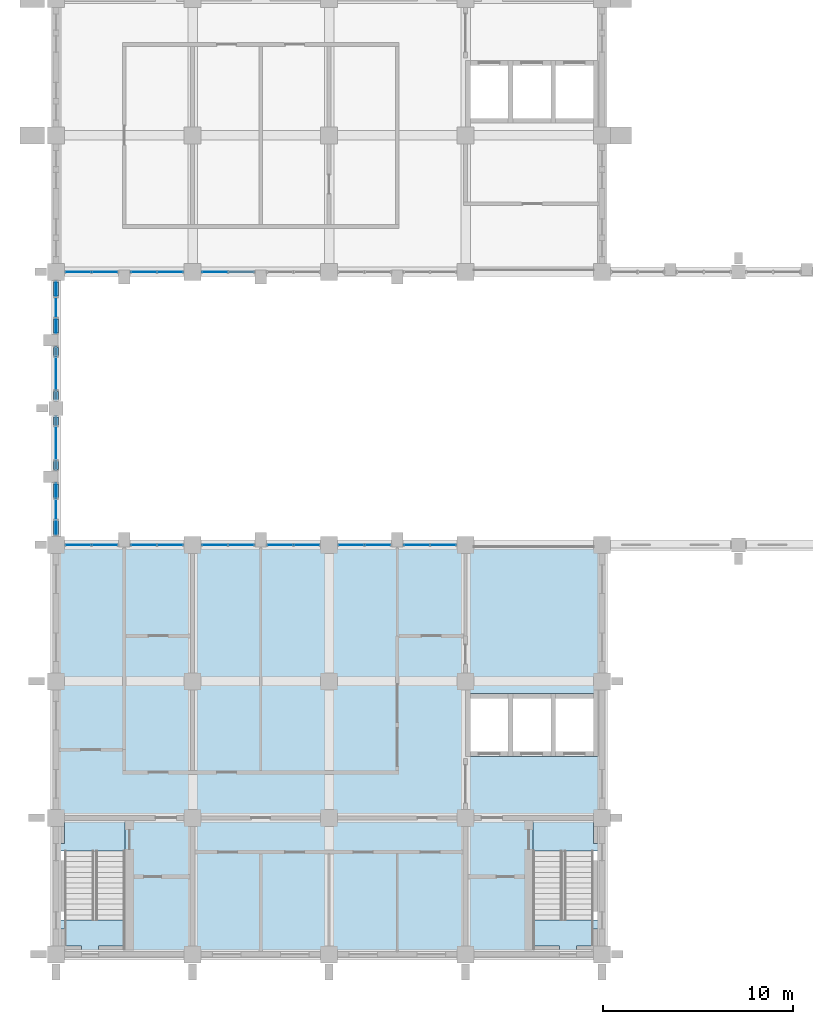
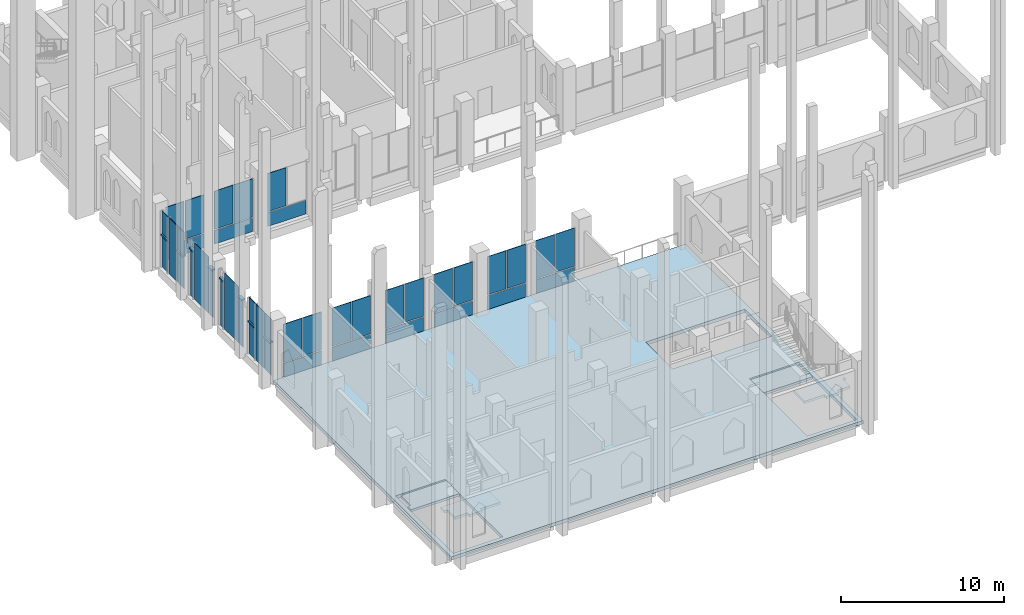
# One storey, part 24 of 40: 42 plates, 8 members, 5 slabs, 15 elements without a shape of their own.
"""IFC4 building model written with IfcOpenShell, lengths in metres."""

from ifc_helpers import new_model, si_unit, direction, frame, origin, origin_2d, place, context, subcontext, project, spatial, polyline, rectangle, hollow_rectangle, outline, extrude, material, layer, layer_set, material_profile, profile_set, type_object, element, aggregate, save


model = new_model("IFC4")

# Units and contexts
model_context = context("Model", 3, precision=1e-05, world=origin(), true_north=direction((0.0, 1.0)))
body_context = subcontext(model_context, "Body", "Model", "MODEL_VIEW")
ifc_project = project(units=[si_unit("LENGTHUNIT", "METRE"), si_unit("AREAUNIT", "SQUARE_METRE"), si_unit("VOLUMEUNIT", "CUBIC_METRE"), si_unit("PLANEANGLEUNIT", "RADIAN"), si_unit("MASSUNIT", "GRAM", prefix="KILO")], contexts=[model_context])

# Site, building, storey
site_placement = place(None, origin())
site = spatial("IfcSite", under=ifc_project, at=site_placement, CompositionType="ELEMENT")
building_placement = place(site_placement, origin())
building = spatial("IfcBuilding", under=site, at=building_placement, Name="Silangan Lancet Faculty of Sciences", CompositionType="ELEMENT")
storey_placement = place(building_placement, frame((0.0, 0.0, 21.60009765625)))
storey = spatial("IfcBuildingStorey", under=building, at=storey_placement, Name="L04", CompositionType="ELEMENT", Elevation=21.60009765625)

# Curtain wall, members
ifc_material_1 = material(Name="Aluminium framed curtain wall with insulated glass", Category="aluminium")
curtain_wall_type_1 = type_object("IfcCurtainWallType", Name="CW3 West stepped lancet window", PredefinedType="NOTDEFINED", material=ifc_material_1)
curtain_wall_1_placement = place(storey_placement, origin())
curtain_wall_1 = element("IfcCurtainWall", 1, at=curtain_wall_1_placement, inside=storey, type_object=curtain_wall_type_1, Name="CW3 West window L04 bay 1", PredefinedType="NOTDEFINED")
ifc_material_2 = material(Name="Aluminium 6063-T6 extrusion", Category="aluminium")
ifc_material_profile = material_profile(ifc_material_2, hollow_rectangle(XDim=0.25, YDim=0.10009765625, WallThickness=0.0048828125, at=origin_2d()), Name="AL BOX 250x100x5")
ifc_profile_set = profile_set([ifc_material_profile], Name="Aluminium 6063-T6 extrusion")
member_type = type_object("IfcMemberType", Name="CT3 Transom 250x100", PredefinedType="USERDEFINED", material=ifc_profile_set)
member_1_placement = place(storey_placement, frame((0.0, 22.125, 2.449951171875), z_axis=(0.0, 1.0, 0.0), x_axis=(-1.0, 0.0, 0.0)))
member_1 = element("IfcMember", 2, at=member_1_placement, type_object=member_type, Name="CW3 West window L04 bay 1 transom 1", ObjectType="TRANSOM", PredefinedType="USERDEFINED", context=body_context, shape_type="SweptSolid", body=[
    extrude(hollow_rectangle(XDim=0.25, YDim=0.10009765625, WallThickness=0.0048828125, at=origin_2d()), origin(), (0.0, 0.0, 1.0), 0.75),
])
member_2_placement = place(storey_placement, frame((0.0, 24.074951171875, 2.449951171875), z_axis=(0.0, 1.0, 0.0), x_axis=(-1.0, 0.0, 0.0)))
member_2 = element("IfcMember", 3, at=member_2_placement, type_object=member_type, Name="CW3 West window L04 bay 1 transom 2", ObjectType="TRANSOM", PredefinedType="USERDEFINED", context=body_context, shape_type="SweptSolid", body=[
    extrude(hollow_rectangle(XDim=0.25, YDim=0.10009765625, WallThickness=0.0048828125, at=origin_2d()), origin(), (0.0, 0.0, 1.0), 0.75),
])

ifc_material_3 = material(Name="Aluminium framed curtain wall with insulated glass", Category="aluminium")
curtain_wall_type_2 = type_object("IfcCurtainWallType", Name="CW6 West window middle bays", PredefinedType="NOTDEFINED", material=ifc_material_3)
curtain_wall_2_placement = place(storey_placement, origin())
curtain_wall_2 = element("IfcCurtainWall", 4, at=curtain_wall_2_placement, inside=storey, type_object=curtain_wall_type_2, Name="CW6 West window L04 bay 2", PredefinedType="NOTDEFINED")
member_3_placement = place(storey_placement, frame((0.0, 25.574951171875, 3.5498046875), z_axis=(0.0, 1.0, 0.0), x_axis=(-1.0, 0.0, 0.0)))
member_3 = element("IfcMember", 5, at=member_3_placement, type_object=member_type, Name="CW6 West window L04 bay 2 transom 1", ObjectType="TRANSOM", PredefinedType="USERDEFINED", context=body_context, shape_type="SweptSolid", body=[
    extrude(hollow_rectangle(XDim=0.25, YDim=0.10009765625, WallThickness=0.0048828125, at=origin_2d()), origin(), (0.0, 0.0, 1.0), 0.449951171875),
])
member_4_placement = place(storey_placement, frame((0.0, 27.89990234375, 3.5498046875), z_axis=(0.0, 1.0, 0.0), x_axis=(-1.0, 0.0, 0.0)))
member_4 = element("IfcMember", 6, at=member_4_placement, type_object=member_type, Name="CW6 West window L04 bay 2 transom 2", ObjectType="TRANSOM", PredefinedType="USERDEFINED", context=body_context, shape_type="SweptSolid", body=[
    extrude(hollow_rectangle(XDim=0.25, YDim=0.10009765625, WallThickness=0.0048828125, at=origin_2d()), origin(), (0.0, 0.0, 1.0), 0.4501953125),
])

curtain_wall_3_placement = place(storey_placement, origin())
curtain_wall_3 = element("IfcCurtainWall", 7, at=curtain_wall_3_placement, inside=storey, type_object=curtain_wall_type_2, Name="CW6 West window L04 bay 3", PredefinedType="NOTDEFINED")
member_5_placement = place(storey_placement, frame((0.0, 29.25, 3.5498046875), z_axis=(0.0, 1.0, 0.0), x_axis=(-1.0, 0.0, 0.0)))
member_5 = element("IfcMember", 8, at=member_5_placement, type_object=member_type, Name="CW6 West window L04 bay 3 transom 1", ObjectType="TRANSOM", PredefinedType="USERDEFINED", context=body_context, shape_type="SweptSolid", body=[
    extrude(hollow_rectangle(XDim=0.25, YDim=0.10009765625, WallThickness=0.0048828125, at=origin_2d()), origin(), (0.0, 0.0, 1.0), 0.449951171875),
])
member_6_placement = place(storey_placement, frame((0.0, 31.574951171875, 3.5498046875), z_axis=(0.0, 1.0, 0.0), x_axis=(-1.0, 0.0, 0.0)))
member_6 = element("IfcMember", 9, at=member_6_placement, type_object=member_type, Name="CW6 West window L04 bay 3 transom 2", ObjectType="TRANSOM", PredefinedType="USERDEFINED", context=body_context, shape_type="SweptSolid", body=[
    extrude(hollow_rectangle(XDim=0.25, YDim=0.10009765625, WallThickness=0.0048828125, at=origin_2d()), origin(), (0.0, 0.0, 1.0), 0.449951171875),
])

curtain_wall_4_placement = place(storey_placement, origin())
curtain_wall_4 = element("IfcCurtainWall", 10, at=curtain_wall_4_placement, inside=storey, type_object=curtain_wall_type_1, Name="CW3 West window L04 bay 4", PredefinedType="NOTDEFINED")
member_7_placement = place(storey_placement, frame((0.0, 32.77490234375, 2.449951171875), z_axis=(0.0, 1.0, 0.0), x_axis=(-1.0, 0.0, 0.0)))
member_7 = element("IfcMember", 11, at=member_7_placement, type_object=member_type, Name="CW3 West window L04 bay 4 transom 1", ObjectType="TRANSOM", PredefinedType="USERDEFINED", context=body_context, shape_type="SweptSolid", body=[
    extrude(hollow_rectangle(XDim=0.25, YDim=0.10009765625, WallThickness=0.0048828125, at=origin_2d()), origin(), (0.0, 0.0, 1.0), 0.75),
])
member_8_placement = place(storey_placement, frame((0.0, 34.72509765625, 2.449951171875), z_axis=(0.0, 1.0, 0.0), x_axis=(-1.0, 0.0, 0.0)))
member_8 = element("IfcMember", 12, at=member_8_placement, type_object=member_type, Name="CW3 West window L04 bay 4 transom 2", ObjectType="TRANSOM", PredefinedType="USERDEFINED", context=body_context, shape_type="SweptSolid", body=[
    extrude(hollow_rectangle(XDim=0.25, YDim=0.10009765625, WallThickness=0.0048828125, at=origin_2d()), origin(), (0.0, 0.0, 1.0), 0.75),
])

# Plate
ifc_material_4 = material(Name="Insulated glass unit 8+16+8 low-emissivity", Category="glass")
ifc_layer_1 = layer(ifc_material_4, 0.031982421875)
ifc_layer_set_1 = layer_set([ifc_layer_1], Name="Insulated glass unit 8+16+8 low-emissivity")
plate_type_1 = type_object("IfcPlateType", Name="CP1 Panel vision glass 32", PredefinedType="CURTAIN_PANEL", material=ifc_layer_set_1)
plate_1_placement = place(storey_placement, frame((0.0, 22.5, 2.5), z_axis=(0.0, 0.0, 1.0), x_axis=(0.0, 1.0, 0.0)))
plate_1 = element("IfcPlate", 13, at=plate_1_placement, type_object=plate_type_1, Name="CW3 West window L04 bay 1 panel 3", PredefinedType="CURTAIN_PANEL", context=body_context, shape_type="SweptSolid", body=[
    extrude(rectangle(XDim=0.75, YDim=0.031982421875, at=origin_2d()), origin(), (0.0, 0.0, 1.0), 1.699951171875),
])

plate_2_placement = place(storey_placement, frame((0.0, 24.449951171875, 2.5), z_axis=(0.0, 0.0, 1.0), x_axis=(0.0, 1.0, 0.0)))
plate_2 = element("IfcPlate", 14, at=plate_2_placement, type_object=plate_type_1, Name="CW3 West window L04 bay 1 panel 4", PredefinedType="CURTAIN_PANEL", context=body_context, shape_type="SweptSolid", body=[
    extrude(rectangle(XDim=0.75, YDim=0.031982421875, at=origin_2d()), origin(), (0.0, 0.0, 1.0), 1.699951171875),
])

plate_3_placement = place(storey_placement, frame((0.0, 33.14990234375, 2.5), z_axis=(0.0, 0.0, 1.0), x_axis=(0.0, 1.0, 0.0)))
plate_3 = element("IfcPlate", 15, at=plate_3_placement, type_object=plate_type_1, Name="CW3 West window L04 bay 4 panel 3", PredefinedType="CURTAIN_PANEL", context=body_context, shape_type="SweptSolid", body=[
    extrude(rectangle(XDim=0.75, YDim=0.031982421875, at=origin_2d()), origin(), (0.0, 0.0, 1.0), 1.699951171875),
])

plate_4_placement = place(storey_placement, frame((0.0, 35.10009765625, 2.5), z_axis=(0.0, 0.0, 1.0), x_axis=(0.0, 1.0, 0.0)))
plate_4 = element("IfcPlate", 16, at=plate_4_placement, type_object=plate_type_1, Name="CW3 West window L04 bay 4 panel 4", PredefinedType="CURTAIN_PANEL", context=body_context, shape_type="SweptSolid", body=[
    extrude(rectangle(XDim=0.75, YDim=0.031982421875, at=origin_2d()), origin(), (0.0, 0.0, 1.0), 1.699951171875),
])

ifc_material_5 = material(Name="Laminated insulated glass unit 10.76+14+8", Category="glass")
ifc_layer_2 = layer(ifc_material_5, 0.035888671875)
ifc_layer_set_2 = layer_set([ifc_layer_2], Name="Laminated insulated glass unit 10.76+14+8")
plate_type_2 = type_object("IfcPlateType", Name="CP2 Panel laminated glass 36", PredefinedType="CURTAIN_PANEL", material=ifc_layer_set_2)
plate_5_placement = place(storey_placement, frame((0.0, 22.5, 0.0), z_axis=(0.0, 0.0, 1.0), x_axis=(0.0, 1.0, 0.0)))
plate_5 = element("IfcPlate", 17, at=plate_5_placement, type_object=plate_type_2, Name="CW3 West window L04 bay 1 panel 1", PredefinedType="CURTAIN_PANEL", context=body_context, shape_type="SweptSolid", body=[
    extrude(rectangle(XDim=0.75, YDim=0.035888671875, at=origin_2d()), origin(), (0.0, 0.0, 1.0), 2.39990234375),
])

plate_6_placement = place(storey_placement, frame((0.0, 24.449951171875, 0.0), z_axis=(0.0, 0.0, 1.0), x_axis=(0.0, 1.0, 0.0)))
plate_6 = element("IfcPlate", 18, at=plate_6_placement, type_object=plate_type_2, Name="CW3 West window L04 bay 1 panel 2", PredefinedType="CURTAIN_PANEL", context=body_context, shape_type="SweptSolid", body=[
    extrude(rectangle(XDim=0.75, YDim=0.035888671875, at=origin_2d()), origin(), (0.0, 0.0, 1.0), 2.39990234375),
])

plate_7_placement = place(storey_placement, frame((0.0, 23.47509765625, 0.0), z_axis=(0.0, 0.0, 1.0), x_axis=(0.0, 1.0, 0.0)))
plate_7 = element("IfcPlate", 19, at=plate_7_placement, type_object=plate_type_2, Name="CW3 West window L04 bay 1 panel 5", PredefinedType="CURTAIN_PANEL", context=body_context, shape_type="SweptSolid", body=[
    extrude(rectangle(XDim=1.050048828125, YDim=0.035888671875, at=origin_2d()), origin(), (0.0, 0.0, 1.0), 4.199951171875),
])

aggregate(curtain_wall_1, [member_1, member_2, plate_5, plate_6, plate_1, plate_2, plate_7])

plate_8_placement = place(storey_placement, frame((0.0, 25.800048828125, 0.0), z_axis=(0.0, 0.0, 1.0), x_axis=(0.0, 1.0, 0.0)))
plate_8 = element("IfcPlate", 20, at=plate_8_placement, type_object=plate_type_2, Name="CW6 West window L04 bay 2 panel 1", PredefinedType="CURTAIN_PANEL", context=body_context, shape_type="SweptSolid", body=[
    extrude(rectangle(XDim=0.449951171875, YDim=0.035888671875, at=origin_2d()), origin(), (0.0, 0.0, 1.0), 3.5),
])

plate_9_placement = place(storey_placement, frame((0.0, 28.125, 0.0), z_axis=(0.0, 0.0, 1.0), x_axis=(0.0, 1.0, 0.0)))
plate_9 = element("IfcPlate", 21, at=plate_9_placement, type_object=plate_type_2, Name="CW6 West window L04 bay 2 panel 2", PredefinedType="CURTAIN_PANEL", context=body_context, shape_type="SweptSolid", body=[
    extrude(rectangle(XDim=0.449951171875, YDim=0.035888671875, at=origin_2d()), origin(), (0.0, 0.0, 1.0), 3.5),
])

plate_10_placement = place(storey_placement, frame((0.0, 26.96240234375, 0.0), z_axis=(0.0, 0.0, 1.0), x_axis=(0.0, 1.0, 0.0)))
plate_10 = element("IfcPlate", 22, at=plate_10_placement, type_object=plate_type_2, Name="CW6 West window L04 bay 2 panel 5", PredefinedType="CURTAIN_PANEL", context=body_context, shape_type="SweptSolid", body=[
    extrude(rectangle(XDim=1.72509765625, YDim=0.035888671875, at=origin_2d()), origin(), (0.0, 0.0, 1.0), 4.199951171875),
])

aggregate(curtain_wall_2, [member_3, member_4, plate_8, plate_9, plate_10])

plate_11_placement = place(storey_placement, frame((0.0, 29.47509765625, 0.0), z_axis=(0.0, 0.0, 1.0), x_axis=(0.0, 1.0, 0.0)))
plate_11 = element("IfcPlate", 23, at=plate_11_placement, type_object=plate_type_2, Name="CW6 West window L04 bay 3 panel 1", PredefinedType="CURTAIN_PANEL", context=body_context, shape_type="SweptSolid", body=[
    extrude(rectangle(XDim=0.449951171875, YDim=0.035888671875, at=origin_2d()), origin(), (0.0, 0.0, 1.0), 3.5),
])

plate_12_placement = place(storey_placement, frame((0.0, 31.7998046875, 0.0), z_axis=(0.0, 0.0, 1.0), x_axis=(0.0, 1.0, 0.0)))
plate_12 = element("IfcPlate", 24, at=plate_12_placement, type_object=plate_type_2, Name="CW6 West window L04 bay 3 panel 2", PredefinedType="CURTAIN_PANEL", context=body_context, shape_type="SweptSolid", body=[
    extrude(rectangle(XDim=0.449951171875, YDim=0.035888671875, at=origin_2d()), origin(), (0.0, 0.0, 1.0), 3.5),
])

plate_13_placement = place(storey_placement, frame((0.0, 30.637451171875, 0.0), z_axis=(0.0, 0.0, 1.0), x_axis=(0.0, 1.0, 0.0)))
plate_13 = element("IfcPlate", 25, at=plate_13_placement, type_object=plate_type_2, Name="CW6 West window L04 bay 3 panel 5", PredefinedType="CURTAIN_PANEL", context=body_context, shape_type="SweptSolid", body=[
    extrude(rectangle(XDim=1.724853515625, YDim=0.035888671875, at=origin_2d()), origin(), (0.0, 0.0, 1.0), 4.199951171875),
])

aggregate(curtain_wall_3, [member_5, member_6, plate_11, plate_12, plate_13])

plate_14_placement = place(storey_placement, frame((0.0, 33.14990234375, 0.0), z_axis=(0.0, 0.0, 1.0), x_axis=(0.0, 1.0, 0.0)))
plate_14 = element("IfcPlate", 26, at=plate_14_placement, type_object=plate_type_2, Name="CW3 West window L04 bay 4 panel 1", PredefinedType="CURTAIN_PANEL", context=body_context, shape_type="SweptSolid", body=[
    extrude(rectangle(XDim=0.75, YDim=0.035888671875, at=origin_2d()), origin(), (0.0, 0.0, 1.0), 2.39990234375),
])

plate_15_placement = place(storey_placement, frame((0.0, 35.10009765625, 0.0), z_axis=(0.0, 0.0, 1.0), x_axis=(0.0, 1.0, 0.0)))
plate_15 = element("IfcPlate", 27, at=plate_15_placement, type_object=plate_type_2, Name="CW3 West window L04 bay 4 panel 2", PredefinedType="CURTAIN_PANEL", context=body_context, shape_type="SweptSolid", body=[
    extrude(rectangle(XDim=0.75, YDim=0.035888671875, at=origin_2d()), origin(), (0.0, 0.0, 1.0), 2.39990234375),
])

plate_16_placement = place(storey_placement, frame((0.0, 34.125, 0.0), z_axis=(0.0, 0.0, 1.0), x_axis=(0.0, 1.0, 0.0)))
plate_16 = element("IfcPlate", 28, at=plate_16_placement, type_object=plate_type_2, Name="CW3 West window L04 bay 4 panel 5", PredefinedType="CURTAIN_PANEL", context=body_context, shape_type="SweptSolid", body=[
    extrude(rectangle(XDim=1.050048828125, YDim=0.035888671875, at=origin_2d()), origin(), (0.0, 0.0, 1.0), 4.199951171875),
])

aggregate(curtain_wall_4, [member_7, member_8, plate_14, plate_15, plate_3, plate_4, plate_16])

# Curtain wall, plates
ifc_material_6 = material(Name="Aluminium framed curtain wall with insulated glass", Category="aluminium")
curtain_wall_type_3 = type_object("IfcCurtainWallType", Name="CW2 Atrium fire-resisting screen", PredefinedType="NOTDEFINED", material=ifc_material_6)
curtain_wall_5_placement = place(storey_placement, origin())
curtain_wall_5 = element("IfcCurtainWall", 29, at=curtain_wall_5_placement, inside=storey, type_object=curtain_wall_type_3, Name="CW2 Atrium south L04 bay 1", PredefinedType="NOTDEFINED")
ifc_material_7 = material(Name="Fire-resisting glass unit 40 mm, integrity E", Category="glass")
ifc_layer_3 = layer(ifc_material_7, 0.0400390625)
ifc_layer_set_3 = layer_set([ifc_layer_3], Name="Fire-resisting glass unit 40 mm, integrity E")
plate_type_3 = type_object("IfcPlateType", Name="CP3 Panel fire-resisting glass 40", PredefinedType="CURTAIN_PANEL", material=ifc_layer_set_3)
plate_17_placement = place(storey_placement, frame((19.72509765625, 21.60009765625, 0.0), z_axis=(0.0, 0.0, 1.0), x_axis=(-1.0, 0.0, 0.0)))
plate_17 = element("IfcPlate", 30, at=plate_17_placement, type_object=plate_type_3, Name="CW2 Atrium south L04 bay 1 panel 1", PredefinedType="CURTAIN_PANEL", context=body_context, shape_type="SweptSolid", body=[
    extrude(rectangle(XDim=2.699951171875, YDim=0.0400390625, at=origin_2d()), origin(), (0.0, 0.0, 1.0), 1.02490234375),
])
plate_18_placement = place(storey_placement, frame((20.418701171875, 21.60009765625, 1.099853515625), z_axis=(0.0, 0.0, 1.0), x_axis=(-1.0, 0.0, 0.0)))
plate_18 = element("IfcPlate", 31, at=plate_18_placement, type_object=plate_type_3, Name="CW2 Atrium south L04 bay 1 panel 2", PredefinedType="CURTAIN_PANEL", context=body_context, shape_type="SweptSolid", body=[
    extrude(rectangle(XDim=1.3125, YDim=0.0400390625, at=origin_2d()), origin(), (0.0, 0.0, 1.0), 2.85009765625),
])
plate_19_placement = place(storey_placement, frame((19.03125, 21.60009765625, 1.099853515625), z_axis=(0.0, 0.0, 1.0), x_axis=(-1.0, 0.0, 0.0)))
plate_19 = element("IfcPlate", 32, at=plate_19_placement, type_object=plate_type_3, Name="CW2 Atrium south L04 bay 1 panel 3", PredefinedType="CURTAIN_PANEL", context=body_context, shape_type="SweptSolid", body=[
    extrude(rectangle(XDim=1.3125, YDim=0.0400390625, at=origin_2d()), origin(), (0.0, 0.0, 1.0), 2.85009765625),
])
aggregate(curtain_wall_5, [plate_17, plate_18, plate_19])

curtain_wall_6_placement = place(storey_placement, origin())
curtain_wall_6 = element("IfcCurtainWall", 33, at=curtain_wall_6_placement, inside=storey, type_object=curtain_wall_type_3, Name="CW2 Atrium south L04 bay 2", PredefinedType="NOTDEFINED")
plate_20_placement = place(storey_placement, frame((16.27490234375, 21.60009765625, 0.0), z_axis=(0.0, 0.0, 1.0), x_axis=(-1.0, 0.0, 0.0)))
plate_20 = element("IfcPlate", 34, at=plate_20_placement, type_object=plate_type_3, Name="CW2 Atrium south L04 bay 2 panel 1", PredefinedType="CURTAIN_PANEL", context=body_context, shape_type="SweptSolid", body=[
    extrude(rectangle(XDim=2.699951171875, YDim=0.0400390625, at=origin_2d()), origin(), (0.0, 0.0, 1.0), 1.02490234375),
])
plate_21_placement = place(storey_placement, frame((16.96875, 21.60009765625, 1.099853515625), z_axis=(0.0, 0.0, 1.0), x_axis=(-1.0, 0.0, 0.0)))
plate_21 = element("IfcPlate", 35, at=plate_21_placement, type_object=plate_type_3, Name="CW2 Atrium south L04 bay 2 panel 2", PredefinedType="CURTAIN_PANEL", context=body_context, shape_type="SweptSolid", body=[
    extrude(rectangle(XDim=1.3125, YDim=0.0400390625, at=origin_2d()), origin(), (0.0, 0.0, 1.0), 2.85009765625),
])
plate_22_placement = place(storey_placement, frame((15.581298828125, 21.60009765625, 1.099853515625), z_axis=(0.0, 0.0, 1.0), x_axis=(-1.0, 0.0, 0.0)))
plate_22 = element("IfcPlate", 36, at=plate_22_placement, type_object=plate_type_3, Name="CW2 Atrium south L04 bay 2 panel 3", PredefinedType="CURTAIN_PANEL", context=body_context, shape_type="SweptSolid", body=[
    extrude(rectangle(XDim=1.3125, YDim=0.0400390625, at=origin_2d()), origin(), (0.0, 0.0, 1.0), 2.85009765625),
])
aggregate(curtain_wall_6, [plate_20, plate_21, plate_22])

curtain_wall_7_placement = place(storey_placement, origin())
curtain_wall_7 = element("IfcCurtainWall", 37, at=curtain_wall_7_placement, inside=storey, type_object=curtain_wall_type_3, Name="CW2 Atrium south L04 bay 3", PredefinedType="NOTDEFINED")
plate_23_placement = place(storey_placement, frame((12.52490234375, 21.60009765625, 0.0), z_axis=(0.0, 0.0, 1.0), x_axis=(-1.0, 0.0, 0.0)))
plate_23 = element("IfcPlate", 38, at=plate_23_placement, type_object=plate_type_3, Name="CW2 Atrium south L04 bay 3 panel 1", PredefinedType="CURTAIN_PANEL", context=body_context, shape_type="SweptSolid", body=[
    extrude(rectangle(XDim=2.699951171875, YDim=0.0400390625, at=origin_2d()), origin(), (0.0, 0.0, 1.0), 1.02490234375),
])
plate_24_placement = place(storey_placement, frame((13.21875, 21.60009765625, 1.099853515625), z_axis=(0.0, 0.0, 1.0), x_axis=(-1.0, 0.0, 0.0)))
plate_24 = element("IfcPlate", 39, at=plate_24_placement, type_object=plate_type_3, Name="CW2 Atrium south L04 bay 3 panel 2", PredefinedType="CURTAIN_PANEL", context=body_context, shape_type="SweptSolid", body=[
    extrude(rectangle(XDim=1.3125, YDim=0.0400390625, at=origin_2d()), origin(), (0.0, 0.0, 1.0), 2.85009765625),
])
plate_25_placement = place(storey_placement, frame((11.831298828125, 21.60009765625, 1.099853515625), z_axis=(0.0, 0.0, 1.0), x_axis=(-1.0, 0.0, 0.0)))
plate_25 = element("IfcPlate", 40, at=plate_25_placement, type_object=plate_type_3, Name="CW2 Atrium south L04 bay 3 panel 3", PredefinedType="CURTAIN_PANEL", context=body_context, shape_type="SweptSolid", body=[
    extrude(rectangle(XDim=1.3125, YDim=0.0400390625, at=origin_2d()), origin(), (0.0, 0.0, 1.0), 2.85009765625),
])
aggregate(curtain_wall_7, [plate_23, plate_24, plate_25])

curtain_wall_8_placement = place(storey_placement, origin())
curtain_wall_8 = element("IfcCurtainWall", 41, at=curtain_wall_8_placement, inside=storey, type_object=curtain_wall_type_3, Name="CW2 Atrium south L04 bay 4", PredefinedType="NOTDEFINED")
plate_26_placement = place(storey_placement, frame((9.074951171875, 21.60009765625, 0.0), z_axis=(0.0, 0.0, 1.0), x_axis=(-1.0, 0.0, 0.0)))
plate_26 = element("IfcPlate", 42, at=plate_26_placement, type_object=plate_type_3, Name="CW2 Atrium south L04 bay 4 panel 1", PredefinedType="CURTAIN_PANEL", context=body_context, shape_type="SweptSolid", body=[
    extrude(rectangle(XDim=2.699951171875, YDim=0.0400390625, at=origin_2d()), origin(), (0.0, 0.0, 1.0), 1.02490234375),
])
plate_27_placement = place(storey_placement, frame((9.768798828125, 21.60009765625, 1.099853515625), z_axis=(0.0, 0.0, 1.0), x_axis=(-1.0, 0.0, 0.0)))
plate_27 = element("IfcPlate", 43, at=plate_27_placement, type_object=plate_type_3, Name="CW2 Atrium south L04 bay 4 panel 2", PredefinedType="CURTAIN_PANEL", context=body_context, shape_type="SweptSolid", body=[
    extrude(rectangle(XDim=1.3125, YDim=0.0400390625, at=origin_2d()), origin(), (0.0, 0.0, 1.0), 2.85009765625),
])
plate_28_placement = place(storey_placement, frame((8.38134765625, 21.60009765625, 1.099853515625), z_axis=(0.0, 0.0, 1.0), x_axis=(-1.0, 0.0, 0.0)))
plate_28 = element("IfcPlate", 44, at=plate_28_placement, type_object=plate_type_3, Name="CW2 Atrium south L04 bay 4 panel 3", PredefinedType="CURTAIN_PANEL", context=body_context, shape_type="SweptSolid", body=[
    extrude(rectangle(XDim=1.3125, YDim=0.0400390625, at=origin_2d()), origin(), (0.0, 0.0, 1.0), 2.85009765625),
])
aggregate(curtain_wall_8, [plate_26, plate_27, plate_28])

curtain_wall_9_placement = place(storey_placement, origin())
curtain_wall_9 = element("IfcCurtainWall", 45, at=curtain_wall_9_placement, inside=storey, type_object=curtain_wall_type_3, Name="CW2 Atrium south L04 bay 5", PredefinedType="NOTDEFINED")
plate_29_placement = place(storey_placement, frame((5.324951171875, 21.60009765625, 0.0), z_axis=(0.0, 0.0, 1.0), x_axis=(-1.0, 0.0, 0.0)))
plate_29 = element("IfcPlate", 46, at=plate_29_placement, type_object=plate_type_3, Name="CW2 Atrium south L04 bay 5 panel 1", PredefinedType="CURTAIN_PANEL", context=body_context, shape_type="SweptSolid", body=[
    extrude(rectangle(XDim=2.699951171875, YDim=0.0400390625, at=origin_2d()), origin(), (0.0, 0.0, 1.0), 1.02490234375),
])
plate_30_placement = place(storey_placement, frame((6.018798828125, 21.60009765625, 1.099853515625), z_axis=(0.0, 0.0, 1.0), x_axis=(-1.0, 0.0, 0.0)))
plate_30 = element("IfcPlate", 47, at=plate_30_placement, type_object=plate_type_3, Name="CW2 Atrium south L04 bay 5 panel 2", PredefinedType="CURTAIN_PANEL", context=body_context, shape_type="SweptSolid", body=[
    extrude(rectangle(XDim=1.3125, YDim=0.0400390625, at=origin_2d()), origin(), (0.0, 0.0, 1.0), 2.85009765625),
])
plate_31_placement = place(storey_placement, frame((4.63134765625, 21.60009765625, 1.099853515625), z_axis=(0.0, 0.0, 1.0), x_axis=(-1.0, 0.0, 0.0)))
plate_31 = element("IfcPlate", 48, at=plate_31_placement, type_object=plate_type_3, Name="CW2 Atrium south L04 bay 5 panel 3", PredefinedType="CURTAIN_PANEL", context=body_context, shape_type="SweptSolid", body=[
    extrude(rectangle(XDim=1.3125, YDim=0.0400390625, at=origin_2d()), origin(), (0.0, 0.0, 1.0), 2.85009765625),
])
aggregate(curtain_wall_9, [plate_29, plate_30, plate_31])

curtain_wall_10_placement = place(storey_placement, origin())
curtain_wall_10 = element("IfcCurtainWall", 49, at=curtain_wall_10_placement, inside=storey, type_object=curtain_wall_type_3, Name="CW2 Atrium south L04 bay 6", PredefinedType="NOTDEFINED")
plate_32_placement = place(storey_placement, frame((1.875, 21.60009765625, 0.0), z_axis=(0.0, 0.0, 1.0), x_axis=(-1.0, 0.0, 0.0)))
plate_32 = element("IfcPlate", 50, at=plate_32_placement, type_object=plate_type_3, Name="CW2 Atrium south L04 bay 6 panel 1", PredefinedType="CURTAIN_PANEL", context=body_context, shape_type="SweptSolid", body=[
    extrude(rectangle(XDim=2.7001953125, YDim=0.0400390625, at=origin_2d()), origin(), (0.0, 0.0, 1.0), 1.02490234375),
])
plate_33_placement = place(storey_placement, frame((2.56884765625, 21.60009765625, 1.099853515625), z_axis=(0.0, 0.0, 1.0), x_axis=(-1.0, 0.0, 0.0)))
plate_33 = element("IfcPlate", 51, at=plate_33_placement, type_object=plate_type_3, Name="CW2 Atrium south L04 bay 6 panel 2", PredefinedType="CURTAIN_PANEL", context=body_context, shape_type="SweptSolid", body=[
    extrude(rectangle(XDim=1.3125, YDim=0.0400390625, at=origin_2d()), origin(), (0.0, 0.0, 1.0), 2.85009765625),
])
plate_34_placement = place(storey_placement, frame((1.181396484375, 21.60009765625, 1.099853515625), z_axis=(0.0, 0.0, 1.0), x_axis=(-1.0, 0.0, 0.0)))
plate_34 = element("IfcPlate", 52, at=plate_34_placement, type_object=plate_type_3, Name="CW2 Atrium south L04 bay 6 panel 3", PredefinedType="CURTAIN_PANEL", context=body_context, shape_type="SweptSolid", body=[
    extrude(rectangle(XDim=1.3125, YDim=0.0400390625, at=origin_2d()), origin(), (0.0, 0.0, 1.0), 2.85009765625),
])
aggregate(curtain_wall_10, [plate_32, plate_33, plate_34])

curtain_wall_11_placement = place(storey_placement, origin())
curtain_wall_11 = element("IfcCurtainWall", 53, at=curtain_wall_11_placement, inside=storey, type_object=curtain_wall_type_3, Name="CW2 Atrium north L04 bay 1", PredefinedType="NOTDEFINED")
plate_35_placement = place(storey_placement, frame((1.875, 36.0, 0.0), z_axis=(0.0, 0.0, 1.0), x_axis=(1.0, 0.0, 0.0)))
plate_35 = element("IfcPlate", 54, at=plate_35_placement, type_object=plate_type_3, Name="CW2 Atrium north L04 bay 1 panel 1", PredefinedType="CURTAIN_PANEL", context=body_context, shape_type="SweptSolid", body=[
    extrude(rectangle(XDim=2.7001953125, YDim=0.0400390625, at=origin_2d()), origin(), (0.0, 0.0, 1.0), 1.02490234375),
])
plate_36_placement = place(storey_placement, frame((1.181396484375, 36.0, 1.099853515625), z_axis=(0.0, 0.0, 1.0), x_axis=(1.0, 0.0, 0.0)))
plate_36 = element("IfcPlate", 55, at=plate_36_placement, type_object=plate_type_3, Name="CW2 Atrium north L04 bay 1 panel 2", PredefinedType="CURTAIN_PANEL", context=body_context, shape_type="SweptSolid", body=[
    extrude(rectangle(XDim=1.3125, YDim=0.0400390625, at=origin_2d()), origin(), (0.0, 0.0, 1.0), 2.85009765625),
])
plate_37_placement = place(storey_placement, frame((2.56884765625, 36.0, 1.099853515625), z_axis=(0.0, 0.0, 1.0), x_axis=(1.0, 0.0, 0.0)))
plate_37 = element("IfcPlate", 56, at=plate_37_placement, type_object=plate_type_3, Name="CW2 Atrium north L04 bay 1 panel 3", PredefinedType="CURTAIN_PANEL", context=body_context, shape_type="SweptSolid", body=[
    extrude(rectangle(XDim=1.3125, YDim=0.0400390625, at=origin_2d()), origin(), (0.0, 0.0, 1.0), 2.85009765625),
])
aggregate(curtain_wall_11, [plate_35, plate_36, plate_37])

curtain_wall_12_placement = place(storey_placement, origin())
curtain_wall_12 = element("IfcCurtainWall", 57, at=curtain_wall_12_placement, inside=storey, type_object=curtain_wall_type_3, Name="CW2 Atrium north L04 bay 2", PredefinedType="NOTDEFINED")
plate_38_placement = place(storey_placement, frame((5.324951171875, 36.0, 0.0), z_axis=(0.0, 0.0, 1.0), x_axis=(1.0, 0.0, 0.0)))
plate_38 = element("IfcPlate", 58, at=plate_38_placement, type_object=plate_type_3, Name="CW2 Atrium north L04 bay 2 panel 1", PredefinedType="CURTAIN_PANEL", context=body_context, shape_type="SweptSolid", body=[
    extrude(rectangle(XDim=2.699951171875, YDim=0.0400390625, at=origin_2d()), origin(), (0.0, 0.0, 1.0), 1.02490234375),
])
plate_39_placement = place(storey_placement, frame((4.63134765625, 36.0, 1.099853515625), z_axis=(0.0, 0.0, 1.0), x_axis=(1.0, 0.0, 0.0)))
plate_39 = element("IfcPlate", 59, at=plate_39_placement, type_object=plate_type_3, Name="CW2 Atrium north L04 bay 2 panel 2", PredefinedType="CURTAIN_PANEL", context=body_context, shape_type="SweptSolid", body=[
    extrude(rectangle(XDim=1.3125, YDim=0.0400390625, at=origin_2d()), origin(), (0.0, 0.0, 1.0), 2.85009765625),
])
plate_40_placement = place(storey_placement, frame((6.018798828125, 36.0, 1.099853515625), z_axis=(0.0, 0.0, 1.0), x_axis=(1.0, 0.0, 0.0)))
plate_40 = element("IfcPlate", 60, at=plate_40_placement, type_object=plate_type_3, Name="CW2 Atrium north L04 bay 2 panel 3", PredefinedType="CURTAIN_PANEL", context=body_context, shape_type="SweptSolid", body=[
    extrude(rectangle(XDim=1.3125, YDim=0.0400390625, at=origin_2d()), origin(), (0.0, 0.0, 1.0), 2.85009765625),
])
aggregate(curtain_wall_12, [plate_38, plate_39, plate_40])

curtain_wall_13_placement = place(storey_placement, origin())
curtain_wall_13 = element("IfcCurtainWall", 61, at=curtain_wall_13_placement, inside=storey, type_object=curtain_wall_type_3, Name="CW2 Atrium north L04 bay 3", PredefinedType="NOTDEFINED")
plate_41_placement = place(storey_placement, frame((9.074951171875, 36.0, 0.0), z_axis=(0.0, 0.0, 1.0), x_axis=(1.0, 0.0, 0.0)))
plate_41 = element("IfcPlate", 62, at=plate_41_placement, type_object=plate_type_3, Name="CW2 Atrium north L04 bay 3 panel 1", PredefinedType="CURTAIN_PANEL", context=body_context, shape_type="SweptSolid", body=[
    extrude(rectangle(XDim=2.699951171875, YDim=0.0400390625, at=origin_2d()), origin(), (0.0, 0.0, 1.0), 1.02490234375),
])
plate_42_placement = place(storey_placement, frame((8.38134765625, 36.0, 1.099853515625), z_axis=(0.0, 0.0, 1.0), x_axis=(1.0, 0.0, 0.0)))
plate_42 = element("IfcPlate", 63, at=plate_42_placement, type_object=plate_type_3, Name="CW2 Atrium north L04 bay 3 panel 2", PredefinedType="CURTAIN_PANEL", context=body_context, shape_type="SweptSolid", body=[
    extrude(rectangle(XDim=1.3125, YDim=0.0400390625, at=origin_2d()), origin(), (0.0, 0.0, 1.0), 2.85009765625),
])
aggregate(curtain_wall_13, [plate_41, plate_42])

# Slab
ifc_material_8 = material(Name="Concrete C35/45", Category="concrete")
ifc_layer_4 = layer(ifc_material_8, 0.25)
ifc_layer_set_4 = layer_set([ifc_layer_4], Name="Concrete C35/45")
slab_type_1 = type_object("IfcSlabType", Name="SLAB FLOOR 250", PredefinedType="FLOOR", material=ifc_layer_set_4)
slab_1_placement = place(storey_placement, frame((0.0, 0.0, -0.25)))
element("IfcSlab", 64, at=slab_1_placement, inside=storey, type_object=slab_type_1, Name="SLAB-L04-ST", PredefinedType="FLOOR", context=body_context, shape_type="SweptSolid", body=[
    extrude(outline(polyline([(-0.14990234375, 21.60009765625), (-0.14990234375, -0.14990234375), (28.949951171875, -0.14990234375), (28.949951171875, 21.60009765625), (-0.14990234375, 21.60009765625)]), holes=[polyline([(0.14990234375, 7.199951171875), (3.64990234375, 7.199951171875), (3.64990234375, 0.14990234375), (0.14990234375, 0.14990234375), (0.14990234375, 7.199951171875)]), polyline([(25.14990234375, 0.14990234375), (25.14990234375, 7.199951171875), (28.64990234375, 7.199951171875), (28.64990234375, 0.14990234375), (25.14990234375, 0.14990234375)]), polyline([(21.60009765625, 13.75), (28.60009765625, 13.75), (28.60009765625, 10.449951171875), (21.60009765625, 10.449951171875), (21.60009765625, 13.75)])]), origin(), (0.0, 0.0, 1.0), 0.25),
])

# Stair, slabs
ifc_material_9 = material(Name="Concrete C40/50", Category="concrete")
stair_type = type_object("IfcStairType", Name="TURRET STAIR 1550 TWO-FLIGHT", PredefinedType="HALF_TURN_STAIR", material=ifc_material_9)
stair_1_placement = place(storey_placement, origin())
stair_1 = element("IfcStair", 65, at=stair_1_placement, inside=storey, type_object=stair_type, Name="ST-A stair L04", PredefinedType="HALF_TURN_STAIR")
ifc_material_10 = material(Name="Concrete C40/50", Category="concrete")
ifc_layer_5 = layer(ifc_material_10, 0.179931640625)
ifc_layer_set_5 = layer_set([ifc_layer_5], Name="Concrete C40/50")
slab_type_2 = type_object("IfcSlabType", Name="TURRET STAIR LANDING RC 180", PredefinedType="LANDING", material=ifc_layer_set_5)
slab_2_placement = place(storey_placement, frame((0.0, 0.0, -0.18017578125)))
slab_2 = element("IfcSlab", 66, at=slab_2_placement, type_object=slab_type_2, Name="STR1 landing 1", PredefinedType="LANDING", context=body_context, shape_type="SweptSolid", body=[
    extrude(outline(polyline([(0.449951171875, 7.074951171875), (3.64990234375, 7.074951171875), (3.64990234375, 5.449951171875), (0.22509765625, 5.449951171875), (0.22509765625, 5.85009765625), (0.449951171875, 5.85009765625), (0.449951171875, 7.074951171875)])), origin(), (0.0, 0.0, 1.0), 0.18017578125),
])
slab_3_placement = place(storey_placement, frame((0.0, 0.0, 2.219970703125)))
slab_3 = element("IfcSlab", 67, at=slab_3_placement, type_object=slab_type_2, Name="STR1 landing 2", PredefinedType="LANDING", context=body_context, shape_type="SweptSolid", body=[
    extrude(outline(polyline([(0.449951171875, 0.449951171875), (0.449951171875, 1.35009765625), (0.22509765625, 1.35009765625), (0.22509765625, 1.81005859375), (3.64990234375, 1.81005859375), (3.64990234375, 0.449951171875), (2.25, 0.449951171875), (2.25, 0.22509765625), (1.35009765625, 0.22509765625), (1.35009765625, 0.449951171875), (0.449951171875, 0.449951171875)])), origin(), (0.0, 0.0, 1.0), 0.179931640625),
])
aggregate(stair_1, [slab_2, slab_3])

stair_2_placement = place(storey_placement, origin())
stair_2 = element("IfcStair", 68, at=stair_2_placement, inside=storey, type_object=stair_type, Name="ST-B stair L04", PredefinedType="HALF_TURN_STAIR")
slab_4_placement = place(storey_placement, frame((0.0, 0.0, -0.18017578125)))
slab_4 = element("IfcSlab", 69, at=slab_4_placement, type_object=slab_type_2, Name="STR2 landing 1", PredefinedType="LANDING", context=body_context, shape_type="SweptSolid", body=[
    extrude(outline(polyline([(28.35009765625, 5.85009765625), (28.574951171875, 5.85009765625), (28.574951171875, 5.449951171875), (25.14990234375, 5.449951171875), (25.14990234375, 7.074951171875), (28.35009765625, 7.074951171875), (28.35009765625, 5.85009765625)])), origin(), (0.0, 0.0, 1.0), 0.18017578125),
])
slab_5_placement = place(storey_placement, frame((0.0, 0.0, 2.219970703125)))
slab_5 = element("IfcSlab", 70, at=slab_5_placement, type_object=slab_type_2, Name="STR2 landing 2", PredefinedType="LANDING", context=body_context, shape_type="SweptSolid", body=[
    extrude(outline(polyline([(28.574951171875, 1.35009765625), (28.35009765625, 1.35009765625), (28.35009765625, 0.449951171875), (27.449951171875, 0.449951171875), (27.449951171875, 0.22509765625), (26.550048828125, 0.22509765625), (26.550048828125, 0.449951171875), (25.14990234375, 0.449951171875), (25.14990234375, 1.81005859375), (28.574951171875, 1.81005859375), (28.574951171875, 1.35009765625)])), origin(), (0.0, 0.0, 1.0), 0.179931640625),
])
aggregate(stair_2, [slab_4, slab_5])

save(model, "model.ifc")
